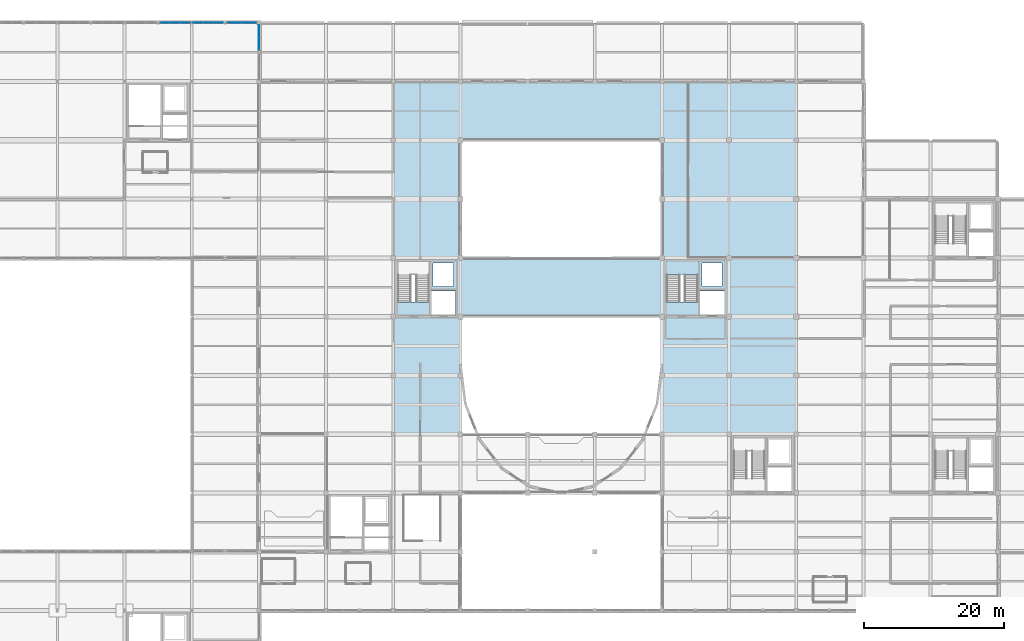
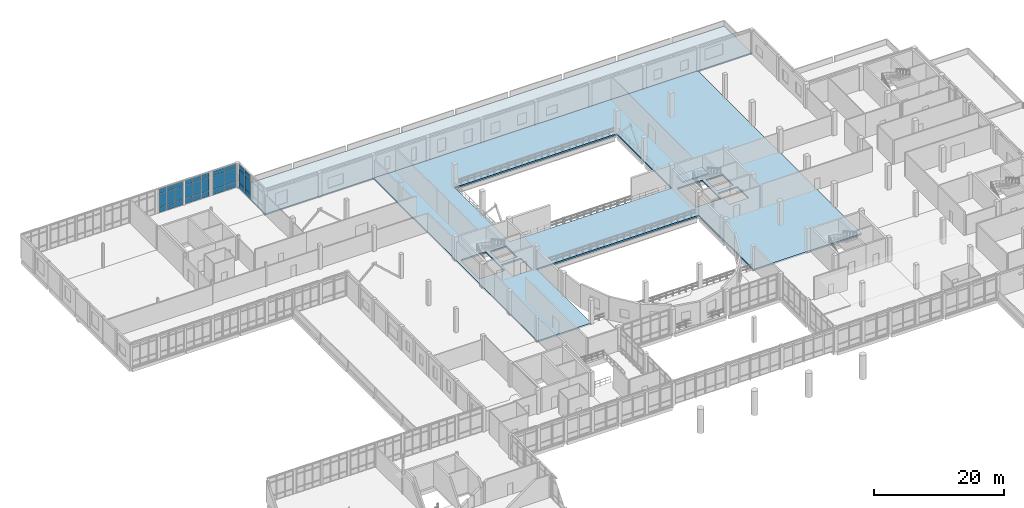
# One storey, part 69 of 88: 30 plates, 3 slabs, 5 elements without a shape of their own.
"""IFC4 building model written with IfcOpenShell, lengths in metres."""

from ifc_helpers import new_model, si_unit, direction, frame, origin, origin_2d, place, context, subcontext, project, spatial, polyline, rectangle, outline, extrude, material, layer, layer_set, type_object, element, aggregate, save


model = new_model("IFC4")

# Units and contexts
model_context = context("Model", 3, precision=1e-05, world=origin(), true_north=direction((0.0, 1.0)))
body_context = subcontext(model_context, "Body", "Model", "MODEL_VIEW")
ifc_project = project(units=[si_unit("LENGTHUNIT", "METRE"), si_unit("AREAUNIT", "SQUARE_METRE"), si_unit("VOLUMEUNIT", "CUBIC_METRE"), si_unit("PLANEANGLEUNIT", "RADIAN"), si_unit("MASSUNIT", "GRAM", prefix="KILO")], contexts=[model_context])

# Site, building, storey
site_placement = place(None, origin())
site = spatial("IfcSite", under=ifc_project, at=site_placement, CompositionType="ELEMENT")
building_placement = place(site_placement, origin())
building = spatial("IfcBuilding", under=site, at=building_placement, Name="Lornevale Opera House", CompositionType="ELEMENT")
storey_placement = place(building_placement, frame((0.0, 0.0, 10.199951171875)))
storey = spatial("IfcBuildingStorey", under=building, at=storey_placement, Name="L03", CompositionType="ELEMENT", Elevation=10.199951171875)

# Curtain wall, plates
ifc_material_1 = material(Name="Anodized Oxide-Green Aluminium Framing", Category="aluminium")
ifc_layer_1 = layer(ifc_material_1, 0.175048828125)
ifc_layer_set_1 = layer_set([ifc_layer_1], Name="Anodized Oxide-Green Aluminium Framing")
curtain_wall_type = type_object("IfcCurtainWallType", Name="Chamber Cloister Curtain Wall M1700", PredefinedType="NOTDEFINED", material=ifc_layer_set_1)
curtain_wall_1_placement = place(storey_placement, origin())
curtain_wall_1 = element("IfcCurtainWall", 1, at=curtain_wall_1_placement, inside=storey, type_object=curtain_wall_type, Name="Chamber Cloister Curtain Wall M1700 CW-115", PredefinedType="NOTDEFINED")
ifc_material_2 = material(Name="Triple Low-E Insulated Glazing", Category="glass")
ifc_layer_2 = layer(ifc_material_2, 0.0419921875)
ifc_layer_set_2 = layer_set([ifc_layer_2], Name="Triple Low-E Insulated Glazing")
plate_type = type_object("IfcPlateType", Name="Ceramic Fritted Bird-Safe Panel 42", PredefinedType="CURTAIN_PANEL", material=ifc_layer_set_2)
plate_1_placement = place(storey_placement, frame((25.0244140625, 100.800048828125, 0.06494140625), z_axis=(0.0, 0.0, 1.0), x_axis=(1.0, 0.0, 0.0)))
plate_1 = element("IfcPlate", 2, at=plate_1_placement, type_object=plate_type, Name="Ceramic Fritted Bird-Safe Panel 42 CW2403", PredefinedType="CURTAIN_PANEL", context=body_context, shape_type="SweptSolid", body=[
    extrude(rectangle(XDim=1.35888671875, YDim=0.0419921875, at=origin_2d()), origin(), (0.0, 0.0, 1.0), 0.952392578125),
])
plate_2_placement = place(storey_placement, frame((25.0244140625, 100.800048828125, 1.08251953125), z_axis=(0.0, 0.0, 1.0), x_axis=(1.0, 0.0, 0.0)))
plate_2 = element("IfcPlate", 3, at=plate_2_placement, type_object=plate_type, Name="Ceramic Fritted Bird-Safe Panel 42 CW2404", PredefinedType="CURTAIN_PANEL", context=body_context, shape_type="SweptSolid", body=[
    extrude(rectangle(XDim=1.35888671875, YDim=0.0419921875, at=origin_2d()), origin(), (0.0, 0.0, 1.0), 2.47509765625),
])
plate_3_placement = place(storey_placement, frame((25.0244140625, 100.800048828125, 3.62255859375), z_axis=(0.0, 0.0, 1.0), x_axis=(1.0, 0.0, 0.0)))
plate_3 = element("IfcPlate", 4, at=plate_3_placement, type_object=plate_type, Name="Ceramic Fritted Bird-Safe Panel 42 CW2405", PredefinedType="CURTAIN_PANEL", context=body_context, shape_type="SweptSolid", body=[
    extrude(rectangle(XDim=1.35888671875, YDim=0.0419921875, at=origin_2d()), origin(), (0.0, 0.0, 1.0), 0.8525390625),
])
plate_4_placement = place(storey_placement, frame((26.46484375, 100.800048828125, 0.06494140625), z_axis=(0.0, 0.0, 1.0), x_axis=(1.0, 0.0, 0.0)))
plate_4 = element("IfcPlate", 5, at=plate_4_placement, type_object=plate_type, Name="Ceramic Fritted Bird-Safe Panel 42 CW2410", PredefinedType="CURTAIN_PANEL", context=body_context, shape_type="SweptSolid", body=[
    extrude(rectangle(XDim=1.3916015625, YDim=0.0419921875, at=origin_2d()), origin(), (0.0, 0.0, 1.0), 0.952392578125),
])
plate_5_placement = place(storey_placement, frame((26.46484375, 100.800048828125, 1.08251953125), z_axis=(0.0, 0.0, 1.0), x_axis=(1.0, 0.0, 0.0)))
plate_5 = element("IfcPlate", 6, at=plate_5_placement, type_object=plate_type, Name="Ceramic Fritted Bird-Safe Panel 42 CW2411", PredefinedType="CURTAIN_PANEL", context=body_context, shape_type="SweptSolid", body=[
    extrude(rectangle(XDim=1.3916015625, YDim=0.0419921875, at=origin_2d()), origin(), (0.0, 0.0, 1.0), 2.47509765625),
])
plate_6_placement = place(storey_placement, frame((26.46484375, 100.800048828125, 3.62255859375), z_axis=(0.0, 0.0, 1.0), x_axis=(1.0, 0.0, 0.0)))
plate_6 = element("IfcPlate", 7, at=plate_6_placement, type_object=plate_type, Name="Ceramic Fritted Bird-Safe Panel 42 CW2412", PredefinedType="CURTAIN_PANEL", context=body_context, shape_type="SweptSolid", body=[
    extrude(rectangle(XDim=1.3916015625, YDim=0.0419921875, at=origin_2d()), origin(), (0.0, 0.0, 1.0), 0.8525390625),
])
plate_7_placement = place(storey_placement, frame((27.905029296875, 100.800048828125, 0.06494140625), z_axis=(0.0, 0.0, 1.0), x_axis=(1.0, 0.0, 0.0)))
plate_7 = element("IfcPlate", 8, at=plate_7_placement, type_object=plate_type, Name="Ceramic Fritted Bird-Safe Panel 42 CW2417", PredefinedType="CURTAIN_PANEL", context=body_context, shape_type="SweptSolid", body=[
    extrude(rectangle(XDim=1.35888671875, YDim=0.0419921875, at=origin_2d()), origin(), (0.0, 0.0, 1.0), 0.952392578125),
])
plate_8_placement = place(storey_placement, frame((27.905029296875, 100.800048828125, 1.08251953125), z_axis=(0.0, 0.0, 1.0), x_axis=(1.0, 0.0, 0.0)))
plate_8 = element("IfcPlate", 9, at=plate_8_placement, type_object=plate_type, Name="Ceramic Fritted Bird-Safe Panel 42 CW2418", PredefinedType="CURTAIN_PANEL", context=body_context, shape_type="SweptSolid", body=[
    extrude(rectangle(XDim=1.35888671875, YDim=0.0419921875, at=origin_2d()), origin(), (0.0, 0.0, 1.0), 2.47509765625),
])
plate_9_placement = place(storey_placement, frame((27.905029296875, 100.800048828125, 3.62255859375), z_axis=(0.0, 0.0, 1.0), x_axis=(1.0, 0.0, 0.0)))
plate_9 = element("IfcPlate", 10, at=plate_9_placement, type_object=plate_type, Name="Ceramic Fritted Bird-Safe Panel 42 CW2419", PredefinedType="CURTAIN_PANEL", context=body_context, shape_type="SweptSolid", body=[
    extrude(rectangle(XDim=1.35888671875, YDim=0.0419921875, at=origin_2d()), origin(), (0.0, 0.0, 1.0), 0.8525390625),
])
aggregate(curtain_wall_1, [plate_1, plate_2, plate_3, plate_4, plate_5, plate_6, plate_7, plate_8, plate_9])

curtain_wall_2_placement = place(storey_placement, origin())
curtain_wall_2 = element("IfcCurtainWall", 11, at=curtain_wall_2_placement, inside=storey, type_object=curtain_wall_type, Name="Chamber Cloister Curtain Wall M1700 CW-126", PredefinedType="NOTDEFINED")
plate_10_placement = place(storey_placement, frame((29.695068359375, 100.800048828125, 0.06494140625), z_axis=(0.0, 0.0, 1.0), x_axis=(1.0, 0.0, 0.0)))
plate_10 = element("IfcPlate", 12, at=plate_10_placement, type_object=plate_type, Name="Ceramic Fritted Bird-Safe Panel 42 CW2622", PredefinedType="CURTAIN_PANEL", context=body_context, shape_type="SweptSolid", body=[
    extrude(rectangle(XDim=1.35888671875, YDim=0.0419921875, at=origin_2d()), origin(), (0.0, 0.0, 1.0), 0.952392578125),
])
plate_11_placement = place(storey_placement, frame((29.695068359375, 100.800048828125, 1.08251953125), z_axis=(0.0, 0.0, 1.0), x_axis=(1.0, 0.0, 0.0)))
plate_11 = element("IfcPlate", 13, at=plate_11_placement, type_object=plate_type, Name="Ceramic Fritted Bird-Safe Panel 42 CW2623", PredefinedType="CURTAIN_PANEL", context=body_context, shape_type="SweptSolid", body=[
    extrude(rectangle(XDim=1.35888671875, YDim=0.0419921875, at=origin_2d()), origin(), (0.0, 0.0, 1.0), 2.47509765625),
])
plate_12_placement = place(storey_placement, frame((29.695068359375, 100.800048828125, 3.62255859375), z_axis=(0.0, 0.0, 1.0), x_axis=(1.0, 0.0, 0.0)))
plate_12 = element("IfcPlate", 14, at=plate_12_placement, type_object=plate_type, Name="Ceramic Fritted Bird-Safe Panel 42 CW2624", PredefinedType="CURTAIN_PANEL", context=body_context, shape_type="SweptSolid", body=[
    extrude(rectangle(XDim=1.35888671875, YDim=0.0419921875, at=origin_2d()), origin(), (0.0, 0.0, 1.0), 0.8525390625),
])
plate_13_placement = place(storey_placement, frame((31.13525390625, 100.800048828125, 0.06494140625), z_axis=(0.0, 0.0, 1.0), x_axis=(1.0, 0.0, 0.0)))
plate_13 = element("IfcPlate", 15, at=plate_13_placement, type_object=plate_type, Name="Ceramic Fritted Bird-Safe Panel 42 CW2629", PredefinedType="CURTAIN_PANEL", context=body_context, shape_type="SweptSolid", body=[
    extrude(rectangle(XDim=1.3916015625, YDim=0.0419921875, at=origin_2d()), origin(), (0.0, 0.0, 1.0), 0.952392578125),
])
plate_14_placement = place(storey_placement, frame((31.13525390625, 100.800048828125, 1.08251953125), z_axis=(0.0, 0.0, 1.0), x_axis=(1.0, 0.0, 0.0)))
plate_14 = element("IfcPlate", 16, at=plate_14_placement, type_object=plate_type, Name="Ceramic Fritted Bird-Safe Panel 42 CW2630", PredefinedType="CURTAIN_PANEL", context=body_context, shape_type="SweptSolid", body=[
    extrude(rectangle(XDim=1.3916015625, YDim=0.0419921875, at=origin_2d()), origin(), (0.0, 0.0, 1.0), 2.47509765625),
])
plate_15_placement = place(storey_placement, frame((31.13525390625, 100.800048828125, 3.62255859375), z_axis=(0.0, 0.0, 1.0), x_axis=(1.0, 0.0, 0.0)))
plate_15 = element("IfcPlate", 17, at=plate_15_placement, type_object=plate_type, Name="Ceramic Fritted Bird-Safe Panel 42 CW2631", PredefinedType="CURTAIN_PANEL", context=body_context, shape_type="SweptSolid", body=[
    extrude(rectangle(XDim=1.3916015625, YDim=0.0419921875, at=origin_2d()), origin(), (0.0, 0.0, 1.0), 0.8525390625),
])
plate_16_placement = place(storey_placement, frame((32.575439453125, 100.800048828125, 0.06494140625), z_axis=(0.0, 0.0, 1.0), x_axis=(1.0, 0.0, 0.0)))
plate_16 = element("IfcPlate", 18, at=plate_16_placement, type_object=plate_type, Name="Ceramic Fritted Bird-Safe Panel 42 CW2636", PredefinedType="CURTAIN_PANEL", context=body_context, shape_type="SweptSolid", body=[
    extrude(rectangle(XDim=1.35888671875, YDim=0.0419921875, at=origin_2d()), origin(), (0.0, 0.0, 1.0), 0.952392578125),
])
plate_17_placement = place(storey_placement, frame((32.575439453125, 100.800048828125, 1.08251953125), z_axis=(0.0, 0.0, 1.0), x_axis=(1.0, 0.0, 0.0)))
plate_17 = element("IfcPlate", 19, at=plate_17_placement, type_object=plate_type, Name="Ceramic Fritted Bird-Safe Panel 42 CW2637", PredefinedType="CURTAIN_PANEL", context=body_context, shape_type="SweptSolid", body=[
    extrude(rectangle(XDim=1.35888671875, YDim=0.0419921875, at=origin_2d()), origin(), (0.0, 0.0, 1.0), 2.47509765625),
])
plate_18_placement = place(storey_placement, frame((32.575439453125, 100.800048828125, 3.62255859375), z_axis=(0.0, 0.0, 1.0), x_axis=(1.0, 0.0, 0.0)))
plate_18 = element("IfcPlate", 20, at=plate_18_placement, type_object=plate_type, Name="Ceramic Fritted Bird-Safe Panel 42 CW2638", PredefinedType="CURTAIN_PANEL", context=body_context, shape_type="SweptSolid", body=[
    extrude(rectangle(XDim=1.35888671875, YDim=0.0419921875, at=origin_2d()), origin(), (0.0, 0.0, 1.0), 0.8525390625),
])
aggregate(curtain_wall_2, [plate_10, plate_11, plate_12, plate_13, plate_14, plate_15, plate_16, plate_17, plate_18])

curtain_wall_3_placement = place(storey_placement, origin())
curtain_wall_3 = element("IfcCurtainWall", 21, at=curtain_wall_3_placement, inside=storey, type_object=curtain_wall_type, Name="Chamber Cloister Curtain Wall M1700 CW-127", PredefinedType="NOTDEFINED")
plate_19_placement = place(storey_placement, frame((34.9521484375, 100.800048828125, 0.06494140625), z_axis=(0.0, 0.0, 1.0), x_axis=(1.0, 0.0, 0.0)))
plate_19 = element("IfcPlate", 22, at=plate_19_placement, type_object=plate_type, Name="Ceramic Fritted Bird-Safe Panel 42 CW2646", PredefinedType="CURTAIN_PANEL", context=body_context, shape_type="SweptSolid", body=[
    extrude(rectangle(XDim=2.014404296875, YDim=0.0419921875, at=origin_2d()), origin(), (0.0, 0.0, 1.0), 0.952392578125),
])
plate_20_placement = place(storey_placement, frame((34.9521484375, 100.800048828125, 1.08251953125), z_axis=(0.0, 0.0, 1.0), x_axis=(1.0, 0.0, 0.0)))
plate_20 = element("IfcPlate", 23, at=plate_20_placement, type_object=plate_type, Name="Ceramic Fritted Bird-Safe Panel 42 CW2647", PredefinedType="CURTAIN_PANEL", context=body_context, shape_type="SweptSolid", body=[
    extrude(rectangle(XDim=2.014404296875, YDim=0.0419921875, at=origin_2d()), origin(), (0.0, 0.0, 1.0), 2.47509765625),
])
plate_21_placement = place(storey_placement, frame((34.9521484375, 100.800048828125, 3.62255859375), z_axis=(0.0, 0.0, 1.0), x_axis=(1.0, 0.0, 0.0)))
plate_21 = element("IfcPlate", 24, at=plate_21_placement, type_object=plate_type, Name="Ceramic Fritted Bird-Safe Panel 42 CW2648", PredefinedType="CURTAIN_PANEL", context=body_context, shape_type="SweptSolid", body=[
    extrude(rectangle(XDim=2.014404296875, YDim=0.0419921875, at=origin_2d()), origin(), (0.0, 0.0, 1.0), 0.8525390625),
])
plate_22_placement = place(storey_placement, frame((37.03173828125, 100.800048828125, 0.06494140625), z_axis=(0.0, 0.0, 1.0), x_axis=(1.0, 0.0, 0.0)))
plate_22 = element("IfcPlate", 25, at=plate_22_placement, type_object=plate_type, Name="Ceramic Fritted Bird-Safe Panel 42 CW2653", PredefinedType="CURTAIN_PANEL", context=body_context, shape_type="SweptSolid", body=[
    extrude(rectangle(XDim=2.014404296875, YDim=0.0419921875, at=origin_2d()), origin(), (0.0, 0.0, 1.0), 0.952392578125),
])
plate_23_placement = place(storey_placement, frame((37.03173828125, 100.800048828125, 1.08251953125), z_axis=(0.0, 0.0, 1.0), x_axis=(1.0, 0.0, 0.0)))
plate_23 = element("IfcPlate", 26, at=plate_23_placement, type_object=plate_type, Name="Ceramic Fritted Bird-Safe Panel 42 CW2654", PredefinedType="CURTAIN_PANEL", context=body_context, shape_type="SweptSolid", body=[
    extrude(rectangle(XDim=2.014404296875, YDim=0.0419921875, at=origin_2d()), origin(), (0.0, 0.0, 1.0), 2.47509765625),
])
plate_24_placement = place(storey_placement, frame((37.03173828125, 100.800048828125, 3.62255859375), z_axis=(0.0, 0.0, 1.0), x_axis=(1.0, 0.0, 0.0)))
plate_24 = element("IfcPlate", 27, at=plate_24_placement, type_object=plate_type, Name="Ceramic Fritted Bird-Safe Panel 42 CW2655", PredefinedType="CURTAIN_PANEL", context=body_context, shape_type="SweptSolid", body=[
    extrude(rectangle(XDim=2.014404296875, YDim=0.0419921875, at=origin_2d()), origin(), (0.0, 0.0, 1.0), 0.8525390625),
])
aggregate(curtain_wall_3, [plate_19, plate_20, plate_21, plate_22, plate_23, plate_24])

curtain_wall_4_placement = place(storey_placement, origin())
curtain_wall_4 = element("IfcCurtainWall", 28, at=curtain_wall_4_placement, inside=storey, type_object=curtain_wall_type, Name="Chamber Cloister Curtain Wall M1700 CW-128", PredefinedType="NOTDEFINED")
plate_25_placement = place(storey_placement, frame((38.39990234375, 99.581787109375, 0.06494140625), z_axis=(0.0, 0.0, 1.0), x_axis=(0.0, -1.0, 0.0)))
plate_25 = element("IfcPlate", 29, at=plate_25_placement, type_object=plate_type, Name="Ceramic Fritted Bird-Safe Panel 42 CW2663", PredefinedType="CURTAIN_PANEL", context=body_context, shape_type="SweptSolid", body=[
    extrude(rectangle(XDim=1.714599609375, YDim=0.0419921875, at=origin_2d()), origin(), (0.0, 0.0, 1.0), 0.952392578125),
])
plate_26_placement = place(storey_placement, frame((38.39990234375, 99.581787109375, 1.08251953125), z_axis=(0.0, 0.0, 1.0), x_axis=(0.0, -1.0, 0.0)))
plate_26 = element("IfcPlate", 30, at=plate_26_placement, type_object=plate_type, Name="Ceramic Fritted Bird-Safe Panel 42 CW2664", PredefinedType="CURTAIN_PANEL", context=body_context, shape_type="SweptSolid", body=[
    extrude(rectangle(XDim=1.714599609375, YDim=0.0419921875, at=origin_2d()), origin(), (0.0, 0.0, 1.0), 2.47509765625),
])
plate_27_placement = place(storey_placement, frame((38.39990234375, 99.581787109375, 3.62255859375), z_axis=(0.0, 0.0, 1.0), x_axis=(0.0, -1.0, 0.0)))
plate_27 = element("IfcPlate", 31, at=plate_27_placement, type_object=plate_type, Name="Ceramic Fritted Bird-Safe Panel 42 CW2665", PredefinedType="CURTAIN_PANEL", context=body_context, shape_type="SweptSolid", body=[
    extrude(rectangle(XDim=1.714599609375, YDim=0.0419921875, at=origin_2d()), origin(), (0.0, 0.0, 1.0), 0.8525390625),
])
plate_28_placement = place(storey_placement, frame((38.39990234375, 97.80224609375, 0.06494140625), z_axis=(0.0, 0.0, 1.0), x_axis=(0.0, -1.0, 0.0)))
plate_28 = element("IfcPlate", 32, at=plate_28_placement, type_object=plate_type, Name="Ceramic Fritted Bird-Safe Panel 42 CW2670", PredefinedType="CURTAIN_PANEL", context=body_context, shape_type="SweptSolid", body=[
    extrude(rectangle(XDim=1.714599609375, YDim=0.0419921875, at=origin_2d()), origin(), (0.0, 0.0, 1.0), 0.952392578125),
])
plate_29_placement = place(storey_placement, frame((38.39990234375, 97.80224609375, 1.08251953125), z_axis=(0.0, 0.0, 1.0), x_axis=(0.0, -1.0, 0.0)))
plate_29 = element("IfcPlate", 33, at=plate_29_placement, type_object=plate_type, Name="Ceramic Fritted Bird-Safe Panel 42 CW2671", PredefinedType="CURTAIN_PANEL", context=body_context, shape_type="SweptSolid", body=[
    extrude(rectangle(XDim=1.714599609375, YDim=0.0419921875, at=origin_2d()), origin(), (0.0, 0.0, 1.0), 2.47509765625),
])
plate_30_placement = place(storey_placement, frame((38.39990234375, 97.80224609375, 3.62255859375), z_axis=(0.0, 0.0, 1.0), x_axis=(0.0, -1.0, 0.0)))
plate_30 = element("IfcPlate", 34, at=plate_30_placement, type_object=plate_type, Name="Ceramic Fritted Bird-Safe Panel 42 CW2672", PredefinedType="CURTAIN_PANEL", context=body_context, shape_type="SweptSolid", body=[
    extrude(rectangle(XDim=1.714599609375, YDim=0.0419921875, at=origin_2d()), origin(), (0.0, 0.0, 1.0), 0.8525390625),
])
aggregate(curtain_wall_4, [plate_25, plate_26, plate_27, plate_28, plate_29, plate_30])

# Slab
ifc_material_3 = material(Name="Concrete 35 MPa (CSA A23.1 N)", Category="concrete")
ifc_layer_3 = layer(ifc_material_3, 0.280029296875)
ifc_layer_set_3 = layer_set([ifc_layer_3], Name="Concrete 35 MPa (CSA A23.1 N)")
slab_type_1 = type_object("IfcSlabType", Name="Dress Circle Floor Slab 280", PredefinedType="FLOOR", material=ifc_layer_set_3)
slab_1_placement = place(storey_placement, frame((0.0, 0.0, -0.280029296875)))
element("IfcSlab", 35, at=slab_1_placement, inside=storey, type_object=slab_type_1, Name="Dress Circle Floor Slab 280 SL-049", PredefinedType="FLOOR", context=body_context, shape_type="SweptSolid", body=[
    extrude(outline(polyline([(57.60009765625, 58.800048828125), (57.60009765625, 67.199951171875), (57.60009765625, 75.60009765625), (57.60009765625, 84.0), (57.60009765625, 92.39990234375), (67.199951171875, 92.39990234375), (76.800048828125, 92.39990234375), (86.39990234375, 92.39990234375), (96.0, 92.39990234375), (105.60009765625, 92.39990234375), (115.199951171875, 92.39990234375), (115.199951171875, 84.0), (115.199951171875, 75.60009765625), (115.199951171875, 67.199951171875), (115.199951171875, 58.800048828125), (115.199951171875, 50.39990234375), (115.199951171875, 42.0), (105.60009765625, 42.0), (96.0, 42.0), (96.0, 50.39990234375), (96.0, 58.800048828125), (86.39990234375, 58.800048828125), (76.800048828125, 58.800048828125), (67.199951171875, 58.800048828125), (67.199951171875, 50.39990234375), (67.199951171875, 42.0), (57.60009765625, 42.0), (57.60009765625, 50.39990234375), (57.60009765625, 58.800048828125)]), holes=[polyline([(86.39990234375, 84.0), (76.800048828125, 84.0), (67.199951171875, 84.0), (67.199951171875, 75.60009765625), (67.199951171875, 67.199951171875), (76.800048828125, 67.199951171875), (86.39990234375, 67.199951171875), (96.0, 67.199951171875), (96.0, 75.60009765625), (96.0, 84.0), (86.39990234375, 84.0)]), polyline([(63.06005859375, 58.97998046875), (66.52001953125, 58.97998046875), (66.52001953125, 62.43994140625), (63.06005859375, 62.43994140625), (63.06005859375, 58.97998046875)]), polyline([(58.260009765625, 60.8798828125), (62.739990234375, 60.8798828125), (62.739990234375, 66.679931640625), (58.260009765625, 66.679931640625), (58.260009765625, 60.8798828125)]), polyline([(101.4599609375, 58.97998046875), (104.919921875, 58.97998046875), (104.919921875, 62.43994140625), (101.4599609375, 62.43994140625), (101.4599609375, 58.97998046875)]), polyline([(96.659912109375, 60.8798828125), (101.139892578125, 60.8798828125), (101.139892578125, 66.679931640625), (96.659912109375, 66.679931640625), (96.659912109375, 60.8798828125)]), polyline([(63.300048828125, 63.10009765625), (66.199951171875, 63.10009765625), (66.199951171875, 66.43994140625), (63.300048828125, 66.43994140625), (63.300048828125, 63.10009765625)]), polyline([(101.699951171875, 63.10009765625), (104.60009765625, 63.10009765625), (104.60009765625, 66.43994140625), (101.699951171875, 66.43994140625), (101.699951171875, 63.10009765625)])]), origin(), (0.0, 0.0, 1.0), 0.280029296875),
])

# Stair, slab
ifc_layer_4 = layer(ifc_material_3, 4.800048828125)
ifc_layer_set_4 = layer_set([ifc_layer_4], Name="Concrete 35 MPa (CSA A23.1 N)")
stair_type = type_object("IfcStairType", Name="Firefighter Core Stair 4800-W1880", PredefinedType="TWO_STRAIGHT_RUN_STAIR", material=ifc_layer_set_4)
stair_placement = place(storey_placement, origin())
stair = element("IfcStair", 36, at=stair_placement, inside=storey, type_object=stair_type, Name="Stagehouse Firefighter Core West Stair ST-24 (L03-L04)", PredefinedType="TWO_STRAIGHT_RUN_STAIR")
ifc_layer_5 = layer(ifc_material_3, 0.219970703125)
ifc_layer_set_5 = layer_set([ifc_layer_5], Name="Concrete 35 MPa (CSA A23.1 N)")
slab_type_2 = type_object("IfcSlabType", Name="Stair Half-Landing Slab 220", PredefinedType="LANDING", material=ifc_layer_set_5)
slab_2_placement = place(storey_placement, frame((0.0, 0.0, 2.179931640625)))
slab_2 = element("IfcSlab", 37, at=slab_2_placement, type_object=slab_type_2, Name="ST-24 Half-Landing SL-LND-024", PredefinedType="LANDING", context=body_context, shape_type="SweptSolid", body=[
    extrude(outline(polyline([(96.60009765625, 64.760009765625), (101.199951171875, 64.760009765625), (101.199951171875, 66.780029296875), (96.60009765625, 66.780029296875), (96.60009765625, 64.760009765625)])), origin(), (0.0, 0.0, 1.0), 0.22021484375),
])
aggregate(stair, [slab_2])

# Slab
ifc_layer_6 = layer(ifc_material_3, 0.2900390625)
ifc_layer_set_6 = layer_set([ifc_layer_6], Name="Concrete 35 MPa (CSA A23.1 N)")
slab_type_3 = type_object("IfcSlabType", Name="Vegetated Green Roof Slab 290", PredefinedType="ROOF", material=ifc_layer_set_6)
slab_3_placement = place(storey_placement, frame((0.0, 0.0, -0.2900390625)))
element("IfcSlab", 38, at=slab_3_placement, inside=storey, type_object=slab_type_3, Name="Unoccupied Maintenance Vegetated Green Roof Slab SL-076", PredefinedType="ROOF", context=body_context, shape_type="SweptSolid", body=[
    extrude(outline(polyline([(57.60009765625, 100.800048828125), (67.199951171875, 100.800048828125), (76.800048828125, 100.800048828125), (86.39990234375, 100.800048828125), (96.0, 100.800048828125), (105.60009765625, 100.800048828125), (115.199951171875, 100.800048828125), (124.800048828125, 100.800048828125), (124.800048828125, 92.39990234375), (115.199951171875, 92.39990234375), (105.60009765625, 92.39990234375), (96.0, 92.39990234375), (86.39990234375, 92.39990234375), (76.800048828125, 92.39990234375), (67.199951171875, 92.39990234375), (57.60009765625, 92.39990234375), (48.0, 92.39990234375), (38.39990234375, 92.39990234375), (38.39990234375, 100.800048828125), (48.0, 100.800048828125), (57.60009765625, 100.800048828125)])), origin(), (0.0, 0.0, 1.0), 0.2900390625),
])

save(model, "model.ifc")
